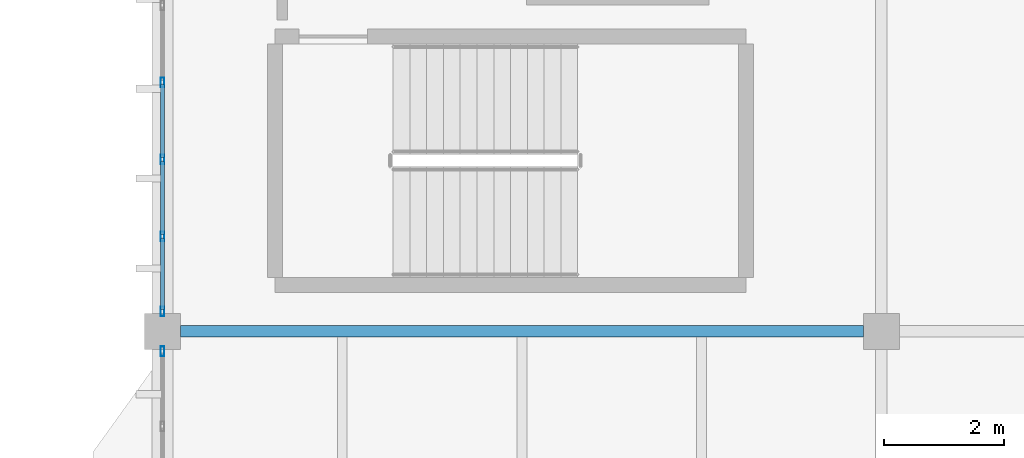
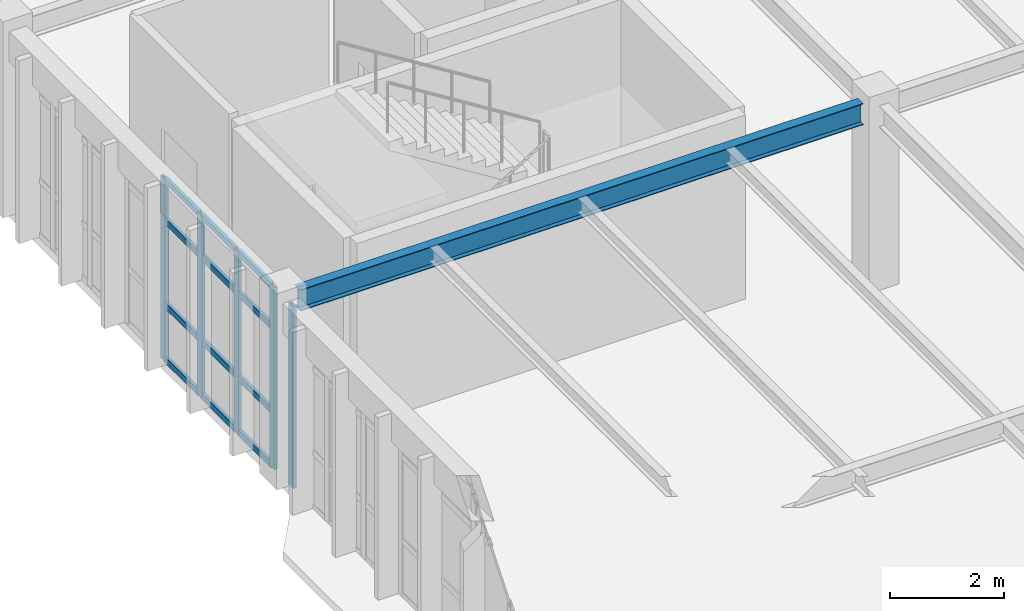
# One storey, part 36 of 83: 17 members, 1 beam, 2 elements without a shape of their own.
"""IFC4 building model written with IfcOpenShell, lengths in metres."""

from ifc_helpers import new_model, si_unit, direction, frame, origin, origin_2d, place, context, subcontext, project, spatial, hollow_rectangle, i_section, extrude, material, layer, layer_set, material_profile, profile_set, type_object, element, aggregate, save


model = new_model("IFC4")

# Units and contexts
model_context = context("Model", 3, precision=1e-05, world=origin(), true_north=direction((0.0, 1.0)))
body_context = subcontext(model_context, "Body", "Model", "MODEL_VIEW")
ifc_project = project(units=[si_unit("LENGTHUNIT", "METRE"), si_unit("AREAUNIT", "SQUARE_METRE"), si_unit("VOLUMEUNIT", "CUBIC_METRE"), si_unit("PLANEANGLEUNIT", "RADIAN"), si_unit("MASSUNIT", "GRAM", prefix="KILO")], contexts=[model_context])

# Site, building, storey
site_placement = place(None, origin())
site = spatial("IfcSite", under=ifc_project, at=site_placement, CompositionType="ELEMENT")
building_placement = place(site_placement, origin())
building = spatial("IfcBuilding", under=site, at=building_placement, Name="Pandanus Reach Market Hall", CompositionType="ELEMENT")
storey_placement = place(building_placement, frame((0.0, 0.0, 10.199951171875)))
storey = spatial("IfcBuildingStorey", under=building, at=storey_placement, Name="L02", CompositionType="ELEMENT", Elevation=10.199951171875)

# Beam
ifc_material_1 = material(Name="Steel Grade 350 (350 MPa)", Category="steel")
ifc_material_profile_1 = material_profile(ifc_material_1, i_section(OverallWidth=0.18994140625, OverallDepth=0.45703125, WebThickness=0.009033203125, FlangeThickness=0.014404296875, at=origin_2d()), Name="460UB74.6", Category="LoadBearing")
ifc_profile_set_1 = profile_set([ifc_material_profile_1], Name="Steel Grade 350 (350 MPa)")
beam_type = type_object("IfcBeamType", Name="BM-UB460-I", PredefinedType="BEAM", material=ifc_profile_set_1)
beam_placement = place(storey_placement, frame((144.298095703125, 48.0, 3.72119140625), z_axis=(1.0, 0.0, 0.0), x_axis=(0.0, 1.0, 0.0)))
element("IfcBeam", 1, at=beam_placement, inside=storey, type_object=beam_type, Name="Framing beam BM-UB460-I L02.446", PredefinedType="BEAM", context=body_context, shape_type="SweptSolid", body=[
    extrude(i_section(OverallWidth=0.18994140625, OverallDepth=0.45703125, WebThickness=0.009033203125, FlangeThickness=0.014404296875, at=origin_2d()), origin(), (0.0, 0.0, 1.0), 11.40380859375),
])

# Curtain wall, member
ifc_material_2 = material(Name="Bronze anodised aluminium and low-E glass", Category="aluminium")
ifc_layer = layer(ifc_material_2, 0.159912109375, Name="CW-33")
ifc_layer_set = layer_set([ifc_layer], Name="Bronze anodised aluminium and low-E glass")
curtain_wall_type = type_object("IfcCurtainWallType", Name="CW-33", PredefinedType="NOTDEFINED", material=ifc_layer_set)
curtain_wall_1_placement = place(storey_placement, origin())
curtain_wall_1 = element("IfcCurtainWall", 2, at=curtain_wall_1_placement, inside=storey, type_object=curtain_wall_type, Name="Glazed curtain wall CW-33 CW-0111", PredefinedType="NOTDEFINED")
ifc_material_3 = material(Name="Bronze anodised aluminium", Category="aluminium")
ifc_material_profile_2 = material_profile(ifc_material_3, hollow_rectangle(XDim=0.06494140625, YDim=0.159912109375, WallThickness=0.00390625, at=origin_2d()), Name="ALU65x160", Category="LoadBearing")
ifc_profile_set_2 = profile_set([ifc_material_profile_2], Name="Bronze anodised aluminium")
member_type_1 = type_object("IfcMemberType", Name="CW-M1", PredefinedType="MULLION", material=ifc_profile_set_2)
member_1_placement = place(storey_placement, frame((144.0, 47.66748046875, 0.0), z_axis=(0.0, 0.0, 1.0), x_axis=(-1.0, 0.0, 0.0)))
member_1 = element("IfcMember", 3, at=member_1_placement, type_object=member_type_1, Name="CW-33 mullion 8", PredefinedType="MULLION", context=body_context, shape_type="SweptSolid", body=[
    extrude(hollow_rectangle(XDim=0.06494140625, YDim=0.159912109375, WallThickness=0.00390625, at=origin_2d()), origin(), (0.0, 0.0, 1.0), 3.900146484375),
])
aggregate(curtain_wall_1, [member_1])

# Curtain wall, members
curtain_wall_2_placement = place(storey_placement, origin())
curtain_wall_2 = element("IfcCurtainWall", 4, at=curtain_wall_2_placement, inside=storey, type_object=curtain_wall_type, Name="Glazed curtain wall CW-33 CW-0112", PredefinedType="NOTDEFINED")
member_2_placement = place(storey_placement, frame((144.0, 48.33251953125, 0.0), z_axis=(0.0, 0.0, 1.0), x_axis=(-1.0, 0.0, 0.0)))
member_2 = element("IfcMember", 5, at=member_2_placement, type_object=member_type_1, Name="CW-33 mullion 1", PredefinedType="MULLION", context=body_context, shape_type="SweptSolid", body=[
    extrude(hollow_rectangle(XDim=0.06494140625, YDim=0.159912109375, WallThickness=0.00390625, at=origin_2d()), origin(), (0.0, 0.0, 1.0), 3.900146484375),
])
member_3_placement = place(storey_placement, frame((144.0, 49.585693359375, 0.0), z_axis=(0.0, 0.0, 1.0), x_axis=(-1.0, 0.0, 0.0)))
member_3 = element("IfcMember", 6, at=member_3_placement, type_object=member_type_1, Name="CW-33 mullion 2", PredefinedType="MULLION", context=body_context, shape_type="SweptSolid", body=[
    extrude(hollow_rectangle(XDim=0.06494140625, YDim=0.159912109375, WallThickness=0.00390625, at=origin_2d()), origin(), (0.0, 0.0, 1.0), 3.900146484375),
])
member_4_placement = place(storey_placement, frame((144.0, 50.871337890625, 0.0), z_axis=(0.0, 0.0, 1.0), x_axis=(-1.0, 0.0, 0.0)))
member_4 = element("IfcMember", 7, at=member_4_placement, type_object=member_type_1, Name="CW-33 mullion 3", PredefinedType="MULLION", context=body_context, shape_type="SweptSolid", body=[
    extrude(hollow_rectangle(XDim=0.06494140625, YDim=0.159912109375, WallThickness=0.00390625, at=origin_2d()), origin(), (0.0, 0.0, 1.0), 3.900146484375),
])
member_5_placement = place(storey_placement, frame((144.0, 52.1572265625, 0.0), z_axis=(0.0, 0.0, 1.0), x_axis=(-1.0, 0.0, 0.0)))
member_5 = element("IfcMember", 8, at=member_5_placement, type_object=member_type_1, Name="CW-33 mullion 4", PredefinedType="MULLION", context=body_context, shape_type="SweptSolid", body=[
    extrude(hollow_rectangle(XDim=0.06494140625, YDim=0.159912109375, WallThickness=0.00390625, at=origin_2d()), origin(), (0.0, 0.0, 1.0), 3.900146484375),
])
ifc_material_profile_3 = material_profile(ifc_material_3, hollow_rectangle(XDim=0.06494140625, YDim=0.1298828125, WallThickness=0.00390625, at=origin_2d()), Name="ALU65x130", Category="LoadBearing")
ifc_profile_set_3 = profile_set([ifc_material_profile_3], Name="Bronze anodised aluminium")
member_type_2 = type_object("IfcMemberType", Name="CW-T1", PredefinedType="USERDEFINED", material=ifc_profile_set_3)
member_6_placement = place(storey_placement, frame((144.0, 48.364990234375, 0.032470703125), z_axis=(0.0, 1.0, 0.0), x_axis=(-1.0, 0.0, 0.0)))
member_6 = element("IfcMember", 9, at=member_6_placement, type_object=member_type_2, Name="CW-33 transom 1.1", ObjectType="TRANSOM", PredefinedType="USERDEFINED", context=body_context, shape_type="SweptSolid", body=[
    extrude(hollow_rectangle(XDim=0.06494140625, YDim=0.1298828125, WallThickness=0.00390625, at=origin_2d()), origin(), (0.0, 0.0, 1.0), 1.188232421875),
])
member_7_placement = place(storey_placement, frame((144.0, 48.364990234375, 1.199951171875), z_axis=(0.0, 1.0, 0.0), x_axis=(-1.0, 0.0, 0.0)))
member_7 = element("IfcMember", 10, at=member_7_placement, type_object=member_type_2, Name="CW-33 transom 1.2", ObjectType="TRANSOM", PredefinedType="USERDEFINED", context=body_context, shape_type="SweptSolid", body=[
    extrude(hollow_rectangle(XDim=0.06494140625, YDim=0.1298828125, WallThickness=0.00390625, at=origin_2d()), origin(), (0.0, 0.0, 1.0), 1.188232421875),
])
member_8_placement = place(storey_placement, frame((144.0, 48.364990234375, 3.0), z_axis=(0.0, 1.0, 0.0), x_axis=(-1.0, 0.0, 0.0)))
member_8 = element("IfcMember", 11, at=member_8_placement, type_object=member_type_2, Name="CW-33 transom 1.3", ObjectType="TRANSOM", PredefinedType="USERDEFINED", context=body_context, shape_type="SweptSolid", body=[
    extrude(hollow_rectangle(XDim=0.06494140625, YDim=0.1298828125, WallThickness=0.00390625, at=origin_2d()), origin(), (0.0, 0.0, 1.0), 1.188232421875),
])
member_9_placement = place(storey_placement, frame((144.0, 48.364990234375, 3.867431640625), z_axis=(0.0, 1.0, 0.0), x_axis=(-1.0, 0.0, 0.0)))
member_9 = element("IfcMember", 12, at=member_9_placement, type_object=member_type_2, Name="CW-33 transom 1.4", ObjectType="TRANSOM", PredefinedType="USERDEFINED", context=body_context, shape_type="SweptSolid", body=[
    extrude(hollow_rectangle(XDim=0.06494140625, YDim=0.1298828125, WallThickness=0.00390625, at=origin_2d()), origin(), (0.0, 0.0, 1.0), 1.188232421875),
])
member_10_placement = place(storey_placement, frame((144.0, 49.6181640625, 0.032470703125), z_axis=(0.0, 1.0, 0.0), x_axis=(-1.0, 0.0, 0.0)))
member_10 = element("IfcMember", 13, at=member_10_placement, type_object=member_type_2, Name="CW-33 transom 2.1", ObjectType="TRANSOM", PredefinedType="USERDEFINED", context=body_context, shape_type="SweptSolid", body=[
    extrude(hollow_rectangle(XDim=0.06494140625, YDim=0.1298828125, WallThickness=0.00390625, at=origin_2d()), origin(), (0.0, 0.0, 1.0), 1.220703125),
])
member_11_placement = place(storey_placement, frame((144.0, 49.6181640625, 1.199951171875), z_axis=(0.0, 1.0, 0.0), x_axis=(-1.0, 0.0, 0.0)))
member_11 = element("IfcMember", 14, at=member_11_placement, type_object=member_type_2, Name="CW-33 transom 2.2", ObjectType="TRANSOM", PredefinedType="USERDEFINED", context=body_context, shape_type="SweptSolid", body=[
    extrude(hollow_rectangle(XDim=0.06494140625, YDim=0.1298828125, WallThickness=0.00390625, at=origin_2d()), origin(), (0.0, 0.0, 1.0), 1.220703125),
])
member_12_placement = place(storey_placement, frame((144.0, 49.6181640625, 3.0), z_axis=(0.0, 1.0, 0.0), x_axis=(-1.0, 0.0, 0.0)))
member_12 = element("IfcMember", 15, at=member_12_placement, type_object=member_type_2, Name="CW-33 transom 2.3", ObjectType="TRANSOM", PredefinedType="USERDEFINED", context=body_context, shape_type="SweptSolid", body=[
    extrude(hollow_rectangle(XDim=0.06494140625, YDim=0.1298828125, WallThickness=0.00390625, at=origin_2d()), origin(), (0.0, 0.0, 1.0), 1.220703125),
])
member_13_placement = place(storey_placement, frame((144.0, 49.6181640625, 3.867431640625), z_axis=(0.0, 1.0, 0.0), x_axis=(-1.0, 0.0, 0.0)))
member_13 = element("IfcMember", 16, at=member_13_placement, type_object=member_type_2, Name="CW-33 transom 2.4", ObjectType="TRANSOM", PredefinedType="USERDEFINED", context=body_context, shape_type="SweptSolid", body=[
    extrude(hollow_rectangle(XDim=0.06494140625, YDim=0.1298828125, WallThickness=0.00390625, at=origin_2d()), origin(), (0.0, 0.0, 1.0), 1.220703125),
])
member_14_placement = place(storey_placement, frame((144.0, 50.90380859375, 0.032470703125), z_axis=(0.0, 1.0, 0.0), x_axis=(-1.0, 0.0, 0.0)))
member_14 = element("IfcMember", 17, at=member_14_placement, type_object=member_type_2, Name="CW-33 transom 3.1", ObjectType="TRANSOM", PredefinedType="USERDEFINED", context=body_context, shape_type="SweptSolid", body=[
    extrude(hollow_rectangle(XDim=0.06494140625, YDim=0.1298828125, WallThickness=0.00390625, at=origin_2d()), origin(), (0.0, 0.0, 1.0), 1.220947265625),
])
member_15_placement = place(storey_placement, frame((144.0, 50.90380859375, 1.199951171875), z_axis=(0.0, 1.0, 0.0), x_axis=(-1.0, 0.0, 0.0)))
member_15 = element("IfcMember", 18, at=member_15_placement, type_object=member_type_2, Name="CW-33 transom 3.2", ObjectType="TRANSOM", PredefinedType="USERDEFINED", context=body_context, shape_type="SweptSolid", body=[
    extrude(hollow_rectangle(XDim=0.06494140625, YDim=0.1298828125, WallThickness=0.00390625, at=origin_2d()), origin(), (0.0, 0.0, 1.0), 1.220947265625),
])
member_16_placement = place(storey_placement, frame((144.0, 50.90380859375, 3.0), z_axis=(0.0, 1.0, 0.0), x_axis=(-1.0, 0.0, 0.0)))
member_16 = element("IfcMember", 19, at=member_16_placement, type_object=member_type_2, Name="CW-33 transom 3.3", ObjectType="TRANSOM", PredefinedType="USERDEFINED", context=body_context, shape_type="SweptSolid", body=[
    extrude(hollow_rectangle(XDim=0.06494140625, YDim=0.1298828125, WallThickness=0.00390625, at=origin_2d()), origin(), (0.0, 0.0, 1.0), 1.220947265625),
])
member_17_placement = place(storey_placement, frame((144.0, 50.90380859375, 3.867431640625), z_axis=(0.0, 1.0, 0.0), x_axis=(-1.0, 0.0, 0.0)))
member_17 = element("IfcMember", 20, at=member_17_placement, type_object=member_type_2, Name="CW-33 transom 3.4", ObjectType="TRANSOM", PredefinedType="USERDEFINED", context=body_context, shape_type="SweptSolid", body=[
    extrude(hollow_rectangle(XDim=0.06494140625, YDim=0.1298828125, WallThickness=0.00390625, at=origin_2d()), origin(), (0.0, 0.0, 1.0), 1.220947265625),
])
aggregate(curtain_wall_2, [member_2, member_3, member_4, member_5, member_6, member_7, member_8, member_9, member_10, member_11, member_12, member_13, member_14, member_15, member_16, member_17])

save(model, "model.ifc")
